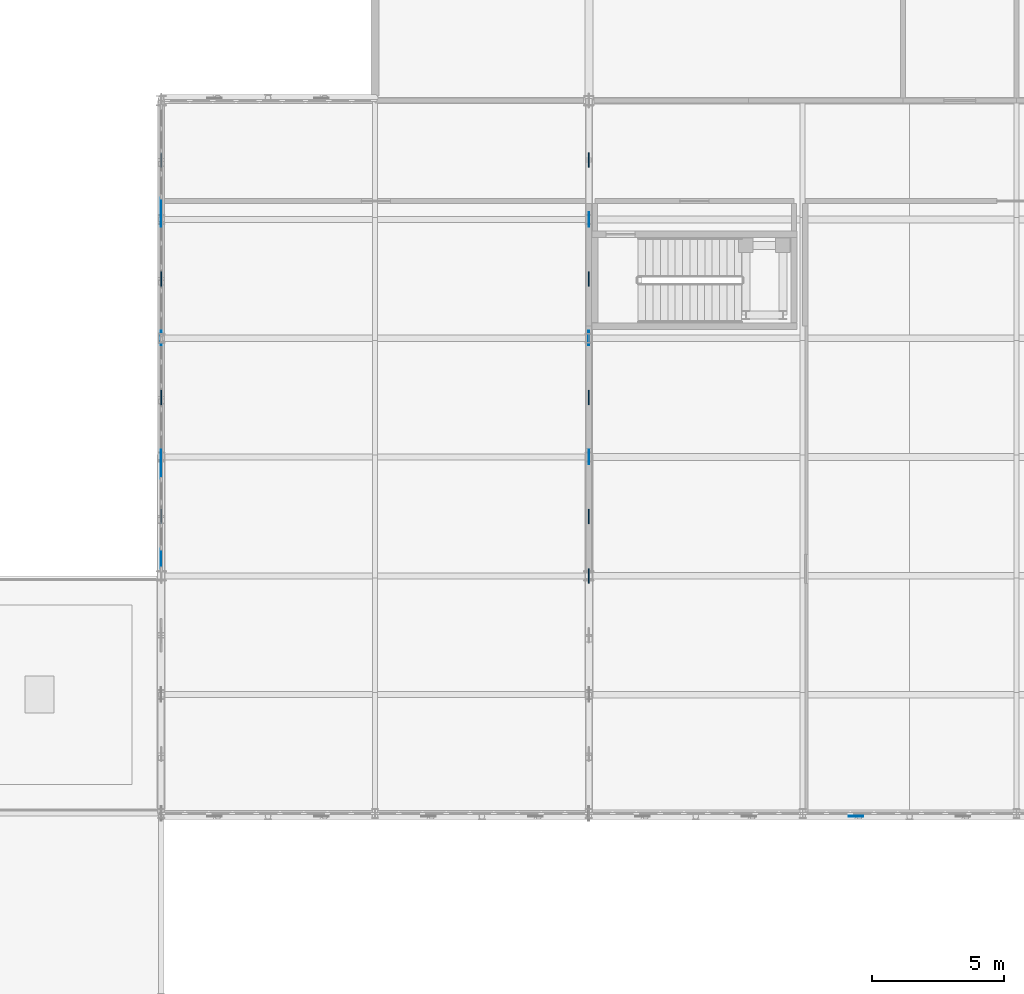
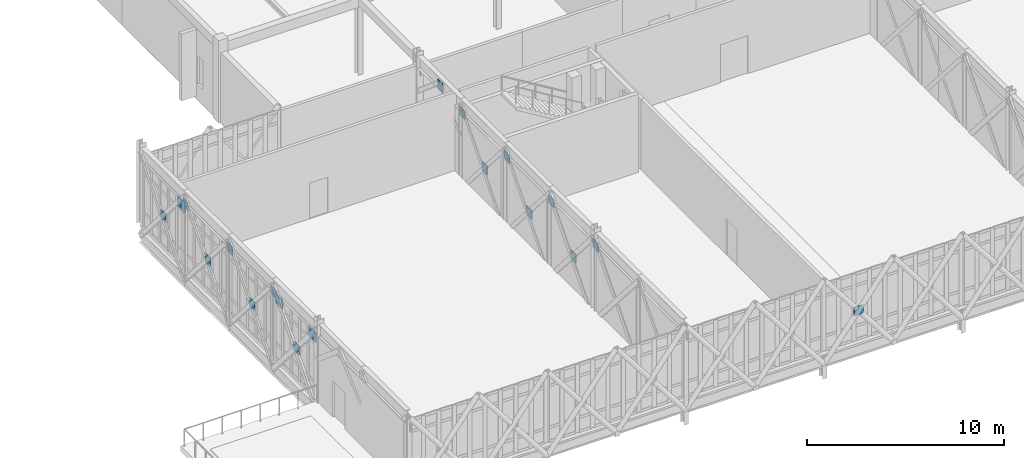
# One storey, part 83 of 107: 19 plates, 2 elements without a shape of their own.
"""IFC4 building model written with IfcOpenShell, lengths in metres."""

from ifc_helpers import new_model, si_unit, direction, frame, origin, origin_2d, place, context, subcontext, project, spatial, rectangle, extrude, material, layer, layer_set, type_object, element, aggregate, save


model = new_model("IFC4")

# Units and contexts
model_context = context("Model", 3, precision=1e-05, world=origin(), true_north=direction((0.0, 1.0)))
body_context = subcontext(model_context, "Body", "Model", "MODEL_VIEW")
ifc_project = project(units=[si_unit("LENGTHUNIT", "METRE"), si_unit("AREAUNIT", "SQUARE_METRE"), si_unit("VOLUMEUNIT", "CUBIC_METRE"), si_unit("PLANEANGLEUNIT", "RADIAN"), si_unit("MASSUNIT", "GRAM", prefix="KILO")], contexts=[model_context])

# Site, building, storey
site_placement = place(None, origin())
site = spatial("IfcSite", under=ifc_project, at=site_placement, CompositionType="ELEMENT")
building_placement = place(site_placement, origin())
building = spatial("IfcBuilding", under=site, at=building_placement, Name="Tarnveldt Square Police Headquarters", CompositionType="ELEMENT")
storey_placement = place(building_placement, frame((0.0, 0.0, 14.699951171875)))
storey = spatial("IfcBuildingStorey", under=building, at=storey_placement, Name="L03", CompositionType="ELEMENT", Elevation=14.699951171875)

# Curtain wall, plates
ifc_material_1 = material(Name="Triple-glazed low-e laminated vision glass", Category="glass")
curtain_wall_type = type_object("IfcCurtainWallType", Name="CW-LT-430x407", PredefinedType="USERDEFINED", material=ifc_material_1)
curtain_wall_1_placement = place(storey_placement, origin())
curtain_wall_1 = element("IfcCurtainWall", 1, at=curtain_wall_1_placement, inside=storey, type_object=curtain_wall_type, Name="L03 Curtain Wall CW-L03-033", ObjectType="GLAZED CURTAIN WALL", PredefinedType="USERDEFINED")
ifc_layer_1 = layer(ifc_material_1, 0.028076171875)
ifc_layer_set_1 = layer_set([ifc_layer_1], Name="Triple-glazed low-e laminated vision glass")
plate_type_1 = type_object("IfcPlateType", Name="CWP-VIS-28", PredefinedType="CURTAIN_PANEL", material=ifc_layer_set_1)
plate_1_placement = place(storey_placement, frame((8.10009765625, 16.650634765625, 3.353515625), z_axis=(0.0, 0.0, 1.0), x_axis=(0.0, 1.0, 0.0)))
plate_1 = element("IfcPlate", 2, at=plate_1_placement, type_object=plate_type_1, Name="CW-LT15 panel 1.3", PredefinedType="CURTAIN_PANEL", context=body_context, shape_type="SweptSolid", body=[
    extrude(rectangle(XDim=0.7470703125, YDim=0.028076171875, at=origin_2d()), origin(), (0.0, 0.0, 1.0), 0.637451171875),
])
plate_2_placement = place(storey_placement, frame((8.10009765625, 20.051513671875, 3.353515625), z_axis=(0.0, 0.0, 1.0), x_axis=(0.0, 1.0, 0.0)))
plate_2 = element("IfcPlate", 3, at=plate_2_placement, type_object=plate_type_1, Name="CW-LT15 panel 5.3", PredefinedType="CURTAIN_PANEL", context=body_context, shape_type="SweptSolid", body=[
    extrude(rectangle(XDim=0.7470703125, YDim=0.028076171875, at=origin_2d()), origin(), (0.0, 0.0, 1.0), 0.637451171875),
])
aggregate(curtain_wall_1, [plate_1, plate_2])

# Curtain wall, plate
curtain_wall_2_placement = place(storey_placement, origin())
curtain_wall_2 = element("IfcCurtainWall", 4, at=curtain_wall_2_placement, inside=storey, type_object=curtain_wall_type, Name="L03 Curtain Wall CW-L03-036", ObjectType="GLAZED CURTAIN WALL", PredefinedType="USERDEFINED")
plate_3_placement = place(storey_placement, frame((8.10009765625, 29.948486328125, 3.353515625), z_axis=(0.0, 0.0, 1.0), x_axis=(0.0, 1.0, 0.0)))
plate_3 = element("IfcPlate", 5, at=plate_3_placement, type_object=plate_type_1, Name="CW-LT15 panel 1.3", PredefinedType="CURTAIN_PANEL", context=body_context, shape_type="SweptSolid", body=[
    extrude(rectangle(XDim=0.7470703125, YDim=0.028076171875, at=origin_2d()), origin(), (0.0, 0.0, 1.0), 0.637451171875),
])
aggregate(curtain_wall_2, [plate_3])

# Plates
ifc_material_2 = material(Name="Steel 350W", Category="steel")
ifc_layer_2 = layer(ifc_material_2, 0.02001953125)
ifc_layer_set_2 = layer_set([ifc_layer_2], Name="Steel 350W")
plate_type_2 = type_object("IfcPlateType", Name="PLT-GUS-20", PredefinedType="SHEET", material=ifc_layer_set_2)
for number, where, z_axis, x_axis, name in (
    (6, (8.10009765625, 29.5, 3.6318359375), (0.0, 0.0, 1.0), (1.0, 0.0, 0.0), "Node KN-CT1.2 Gusset Plate"),
    (7, (8.10009765625, 20.5, 3.6318359375), (0.0, 0.0, 1.0), (1.0, 0.0, 0.0), "Node KN-CT1.4 Gusset Plate"),
    (8, (24.300048828125, 29.5, 3.6318359375), (0.0, 0.0, 1.0), (1.0, 0.0, 0.0), "Node KN-CT2.2 Gusset Plate"),
    (9, (24.300048828125, 20.5, 3.6318359375), (0.0, 0.0, 1.0), (1.0, 0.0, 0.0), "Node KN-CT2.4 Gusset Plate"),
):
    element("IfcPlate", number, at=place(storey_placement, frame(where, z_axis=z_axis, x_axis=x_axis)), inside=storey, type_object=plate_type_2, Name=name, PredefinedType="SHEET", context=body_context, shape_type="SweptSolid", body=[
        extrude(rectangle(XDim=0.02001953125, YDim=0.550048828125, at=origin_2d()), origin(), (0.0, 0.0, 1.0), 0.550048828125),
    ])
ifc_layer_3 = layer(ifc_material_2, 0.031982421875)
ifc_layer_set_3 = layer_set([ifc_layer_3], Name="Steel 350W")
plate_type_3 = type_object("IfcPlateType", Name="PLT-GUS-32", PredefinedType="SHEET", material=ifc_layer_set_3)
for number, where, z_axis, x_axis, name in (
    (10, (8.10009765625, 25.0, 3.6318359375), (0.0, 0.0, 1.0), (1.0, 0.0, 0.0), "Node KN-CT1.3 Gusset Plate"),
    (11, (24.300048828125, 25.0, 3.6318359375), (0.0, 0.0, 1.0), (1.0, 0.0, 0.0), "Node KN-CT2.3 Gusset Plate"),
):
    element("IfcPlate", number, at=place(storey_placement, frame(where, z_axis=z_axis, x_axis=x_axis)), inside=storey, type_object=plate_type_3, Name=name, PredefinedType="SHEET", context=body_context, shape_type="SweptSolid", body=[
        extrude(rectangle(XDim=0.031982421875, YDim=0.550048828125, at=origin_2d()), origin(), (0.0, 0.0, 1.0), 0.550048828125),
    ])
plate_4_placement = place(storey_placement, frame((34.425048828125, 6.89990234375, 1.58203125), z_axis=(0.0, 0.0, 1.0), x_axis=(1.0, 0.0, 0.0)))
element("IfcPlate", 12, at=plate_4_placement, inside=storey, type_object=plate_type_3, Name="Command Lantern S Lattice Crossing Gusset Plate 4.1", PredefinedType="SHEET", context=body_context, shape_type="SweptSolid", body=[
    extrude(rectangle(XDim=0.550048828125, YDim=0.031982421875, at=origin_2d()), origin(), (0.0, 0.0, 1.0), 0.550048828125),
])
ifc_layer_4 = layer(ifc_material_2, 0.0419921875)
ifc_layer_set_4 = layer_set([ifc_layer_4], Name="Steel 350W")
plate_type_4 = type_object("IfcPlateType", Name="PLT-GUS-42", PredefinedType="SHEET", material=ifc_layer_set_4)
for number, where, z_axis, x_axis, name in (
    (13, (8.10009765625, 31.75, 1.58203125), (0.0, 0.0, 1.0), (1.0, 0.0, 0.0), "Cantilever Truss CT-1 L03 Centre Gusset Plate 1"),
    (14, (8.10009765625, 27.25, 1.58203125), (0.0, 0.0, 1.0), (1.0, 0.0, 0.0), "Cantilever Truss CT-1 L03 Centre Gusset Plate 2"),
    (15, (8.10009765625, 22.75, 1.58203125), (0.0, 0.0, 1.0), (1.0, 0.0, 0.0), "Cantilever Truss CT-1 L03 Centre Gusset Plate 3"),
    (16, (8.10009765625, 18.25, 1.58203125), (0.0, 0.0, 1.0), (1.0, 0.0, 0.0), "Cantilever Truss CT-1 L03 Centre Gusset Plate 4"),
    (17, (24.300048828125, 31.75, 3.9619140625), (0.0, 0.0, 1.0), (1.0, 0.0, 0.0), "Cantilever Truss CT-2 L03 Portal Gusset Plate 1"),
    (18, (24.300048828125, 27.25, 1.58203125), (0.0, 0.0, 1.0), (1.0, 0.0, 0.0), "Cantilever Truss CT-2 L03 Centre Gusset Plate 2"),
    (19, (24.300048828125, 22.75, 1.58203125), (0.0, 0.0, 1.0), (1.0, 0.0, 0.0), "Cantilever Truss CT-2 L03 Centre Gusset Plate 3"),
    (20, (24.300048828125, 18.25, 1.58203125), (0.0, 0.0, 1.0), (1.0, 0.0, 0.0), "Cantilever Truss CT-2 L03 Centre Gusset Plate 4"),
    (21, (24.300048828125, 16.0, 3.6318359375), (0.0, 0.0, 1.0), (1.0, 0.0, 0.0), "Node KN-CT2.5 Gusset Plate"),
):
    element("IfcPlate", number, at=place(storey_placement, frame(where, z_axis=z_axis, x_axis=x_axis)), inside=storey, type_object=plate_type_4, Name=name, PredefinedType="SHEET", context=body_context, shape_type="SweptSolid", body=[
        extrude(rectangle(XDim=0.0419921875, YDim=0.550048828125, at=origin_2d()), origin(), (0.0, 0.0, 1.0), 0.550048828125),
    ])

save(model, "model.ifc")
